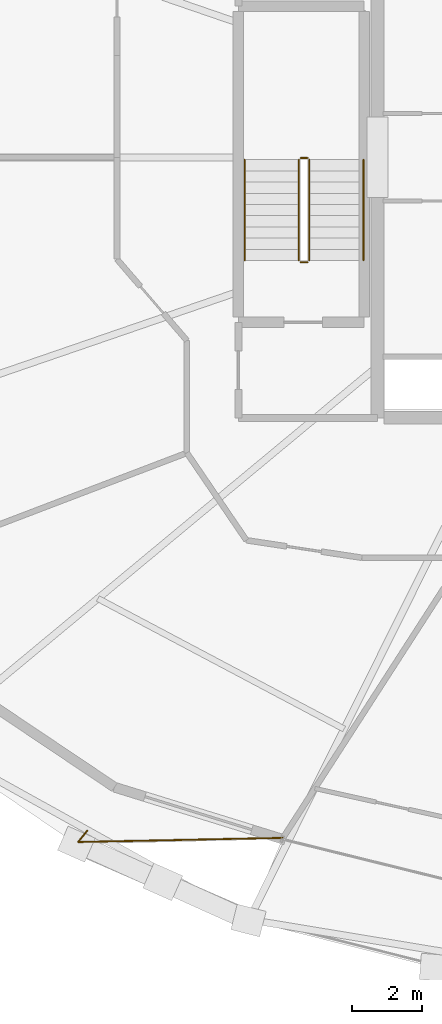
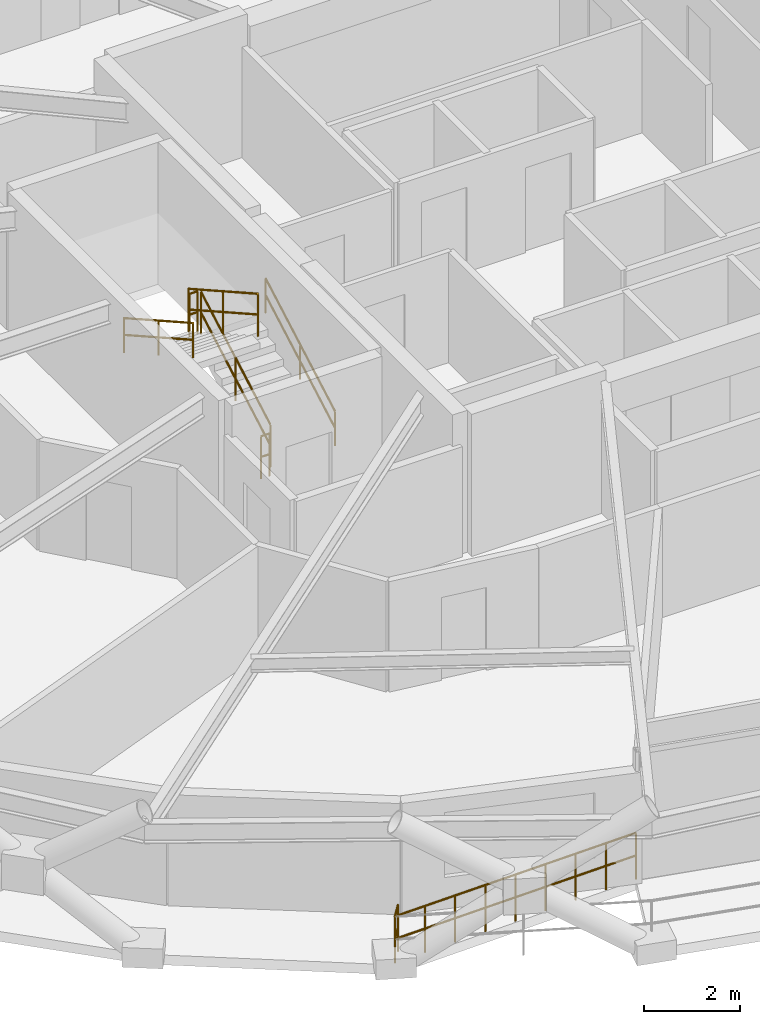
# One storey, part 19 of 21: 7 railings.
"""IFC4 building model written with IfcOpenShell, lengths in metres."""

from ifc_helpers import new_model, si_unit, direction, frame, origin, origin_2d, place, context, subcontext, project, spatial, circle, extrude, material, type_object, element, save


model = new_model("IFC4")

# Units and contexts
model_context = context("Model", 3, precision=1e-05, world=origin(), true_north=direction((0.0, 1.0)))
body_context = subcontext(model_context, "Body", "Model", "MODEL_VIEW")
ifc_project = project(units=[si_unit("LENGTHUNIT", "METRE"), si_unit("AREAUNIT", "SQUARE_METRE"), si_unit("VOLUMEUNIT", "CUBIC_METRE"), si_unit("PLANEANGLEUNIT", "RADIAN"), si_unit("MASSUNIT", "GRAM", prefix="KILO")], contexts=[model_context])

# Site, building, storey
site_placement = place(None, origin())
site = spatial("IfcSite", under=ifc_project, at=site_placement, CompositionType="ELEMENT")
building_placement = place(site_placement, origin())
building = spatial("IfcBuilding", under=site, at=building_placement, Name="Veldorina Hangang Commons", CompositionType="ELEMENT")
storey_placement = place(building_placement, frame((0.0, 0.0, 138.800048828125)))
storey = spatial("IfcBuildingStorey", under=building, at=storey_placement, Name="L35", CompositionType="ELEMENT", Elevation=138.800048828125)

# Railings
ifc_material_1 = material(Name="Glass Laminated Safety Balustrade", Category="glass")
railing_type_1 = type_object("IfcRailingType", Name="RL-BAL-LOGGIA", PredefinedType="BALUSTRADE", material=ifc_material_1)
railing_1_placement = place(storey_placement, frame((16.5029296875, 4.74951171875, 0.0)))
element("IfcRailing", 1, at=railing_1_placement, inside=storey, type_object=railing_type_1, Name="L35 sky-garden loggia end balustrade A", PredefinedType="BALUSTRADE", context=body_context, shape_type="SweptSolid", body=[
    extrude(circle(Radius=0.02392578125, at=origin_2d()), frame((0.0, 0.0, 1.17578125), z_axis=(-0.627172855925, -0.77888009911, 0.0), x_axis=(0.77888009911, -0.627172855925, 0.0)), (0.0, 0.0, 1.0), 0.419921875),
    extrude(circle(Radius=0.02392578125, at=origin_2d()), frame((0.0, 0.0, 0.60009765625), z_axis=(-0.627172855925, -0.77888009911, 0.0), x_axis=(0.77888009911, -0.627172855925, 0.0)), (0.0, 0.0, 1.0), 0.419921875),
    extrude(circle(Radius=0.02392578125, at=origin_2d()), frame((-0.263427734375, -0.3271484375, 1.17578125), z_axis=(0.999794535699, 0.020270332667, 0.0), x_axis=(-0.020270332667, 0.999794535699, 0.0)), (0.0, 0.0, 1.0), 5.853515625),
    extrude(circle(Radius=0.02392578125, at=origin_2d()), frame((-0.263427734375, -0.3271484375, 0.60009765625), z_axis=(0.999794535699, 0.020270332667, 0.0), x_axis=(-0.020270332667, 0.999794535699, 0.0)), (0.0, 0.0, 1.0), 5.853515625),
    extrude(circle(Radius=0.02099609375, at=origin_2d()), origin(), (0.0, 0.0, 1.0), 1.15185546875),
    extrude(circle(Radius=0.02099609375, at=origin_2d()), frame((-0.263427734375, -0.3271484375, 0.0)), (0.0, 0.0, 1.0), 1.15185546875),
    extrude(circle(Radius=0.02099609375, at=origin_2d()), frame((0.468017578125, -0.312255859375, 0.0)), (0.0, 0.0, 1.0), 1.15185546875),
    extrude(circle(Radius=0.02099609375, at=origin_2d()), frame((1.19970703125, -0.29736328125, 0.0)), (0.0, 0.0, 1.0), 1.15185546875),
    extrude(circle(Radius=0.02099609375, at=origin_2d()), frame((1.93115234375, -0.28271484375, 0.0)), (0.0, 0.0, 1.0), 1.15185546875),
    extrude(circle(Radius=0.02099609375, at=origin_2d()), frame((2.66259765625, -0.267822265625, 0.0)), (0.0, 0.0, 1.0), 1.15185546875),
    extrude(circle(Radius=0.02099609375, at=origin_2d()), frame((3.394287109375, -0.2529296875, 0.0)), (0.0, 0.0, 1.0), 1.15185546875),
    extrude(circle(Radius=0.02099609375, at=origin_2d()), frame((4.125732421875, -0.23828125, 0.0)), (0.0, 0.0, 1.0), 1.15185546875),
    extrude(circle(Radius=0.02099609375, at=origin_2d()), frame((4.857421875, -0.223388671875, 0.0)), (0.0, 0.0, 1.0), 1.15185546875),
    extrude(circle(Radius=0.02099609375, at=origin_2d()), frame((5.5888671875, -0.20849609375, 0.0)), (0.0, 0.0, 1.0), 1.15185546875),
])
ifc_material_2 = material(Name="Steel Painted Balustrade", Category="steel")
railing_type_2 = type_object("IfcRailingType", Name="RL-GRD-STAIR", PredefinedType="GUARDRAIL", material=ifc_material_2)
railing_2_placement = place(storey_placement, frame((22.85009765625, 21.050048828125, 0.179931640625)))
element("IfcRailing", 2, at=railing_2_placement, inside=storey, type_object=railing_type_2, Name="L35 ST-1 stair guard 1", PredefinedType="GUARDRAIL", context=body_context, shape_type="SweptSolid", body=[
    extrude(circle(Radius=0.02392578125, at=origin_2d()), frame((0.0, 0.0, 1.076171875), z_axis=(0.0, 0.87155185771, 0.490303333991), x_axis=(-1.0, 0.0, 0.0)), (0.0, 0.0, 1.0), 3.30419921875),
    extrude(circle(Radius=0.02392578125, at=origin_2d()), frame((0.0, 0.0, 0.550048828125), z_axis=(0.0, 0.87155185771, 0.490303333991), x_axis=(-1.0, 0.0, 0.0)), (0.0, 0.0, 1.0), 3.30419921875),
    extrude(circle(Radius=0.02099609375, at=origin_2d()), origin(), (0.0, 0.0, 1.0), 1.052001953125),
    extrude(circle(Radius=0.02099609375, at=origin_2d()), frame((0.0, 1.43994140625, 0.81005859375)), (0.0, 0.0, 1.0), 1.052001953125),
    extrude(circle(Radius=0.02099609375, at=origin_2d()), frame((0.0, 2.8798828125, 1.6201171875)), (0.0, 0.0, 1.0), 1.052001953125),
])
railing_3_placement = place(storey_placement, frame((22.800048828125, 23.97998046875, 1.800048828125)))
element("IfcRailing", 3, at=railing_3_placement, inside=storey, type_object=railing_type_2, Name="L35 ST-1 stair guard 2", PredefinedType="GUARDRAIL", context=body_context, shape_type="SweptSolid", body=[
    extrude(circle(Radius=0.02392578125, at=origin_2d()), frame((0.0, 0.0, 1.076171875), z_axis=(-1.0, 0.0, 0.0), x_axis=(0.0, -1.0, 0.0)), (0.0, 0.0, 1.0), 0.199951171875),
    extrude(circle(Radius=0.02392578125, at=origin_2d()), frame((0.0, 0.0, 0.550048828125), z_axis=(-1.0, 0.0, 0.0), x_axis=(0.0, -1.0, 0.0)), (0.0, 0.0, 1.0), 0.199951171875),
    extrude(circle(Radius=0.02099609375, at=origin_2d()), origin(), (0.0, 0.0, 1.0), 1.052001953125),
    extrude(circle(Radius=0.02099609375, at=origin_2d()), frame((-0.199951171875, 0.0, 0.0)), (0.0, 0.0, 1.0), 1.052001953125),
])
railing_4_placement = place(storey_placement, frame((22.550048828125, 23.929931640625, 1.97998046875)))
element("IfcRailing", 4, at=railing_4_placement, inside=storey, type_object=railing_type_2, Name="L35 ST-1 stair guard 3", PredefinedType="GUARDRAIL", context=body_context, shape_type="SweptSolid", body=[
    extrude(circle(Radius=0.02392578125, at=origin_2d()), frame((0.0, 0.0, 1.076171875), z_axis=(0.0, -0.871583430097, 0.490247207417), x_axis=(1.0, 0.0, 0.0)), (0.0, 0.0, 1.0), 3.30419921875),
    extrude(circle(Radius=0.02392578125, at=origin_2d()), frame((0.0, 0.0, 0.550048828125), z_axis=(0.0, -0.871583430097, 0.490247207417), x_axis=(1.0, 0.0, 0.0)), (0.0, 0.0, 1.0), 3.30419921875),
    extrude(circle(Radius=0.02099609375, at=origin_2d()), origin(), (0.0, 0.0, 1.0), 1.052001953125),
    extrude(circle(Radius=0.02099609375, at=origin_2d()), frame((0.0, -1.43994140625, 0.81005859375)), (0.0, 0.0, 1.0), 1.052001953125),
    extrude(circle(Radius=0.02099609375, at=origin_2d()), frame((0.0, -2.8798828125, 1.619873046875)), (0.0, 0.0, 1.0), 1.052001953125),
])
railing_5_placement = place(storey_placement, frame((22.800048828125, 21.0, 0.0)))
element("IfcRailing", 5, at=railing_5_placement, inside=storey, type_object=railing_type_2, Name="L35 ST-1 stair guard 4", PredefinedType="GUARDRAIL", context=body_context, shape_type="SweptSolid", body=[
    extrude(circle(Radius=0.02392578125, at=origin_2d()), frame((0.0, 0.0, 1.076171875), z_axis=(-1.0, 0.0, 0.0), x_axis=(0.0, -1.0, 0.0)), (0.0, 0.0, 1.0), 0.199951171875),
    extrude(circle(Radius=0.02392578125, at=origin_2d()), frame((0.0, 0.0, 0.550048828125), z_axis=(-1.0, 0.0, 0.0), x_axis=(0.0, -1.0, 0.0)), (0.0, 0.0, 1.0), 0.199951171875),
    extrude(circle(Radius=0.02099609375, at=origin_2d()), origin(), (0.0, 0.0, 1.0), 1.052001953125),
    extrude(circle(Radius=0.02099609375, at=origin_2d()), frame((-0.199951171875, 0.0, 0.0)), (0.0, 0.0, 1.0), 1.052001953125),
])
ifc_material_3 = material(Name="Stainless Steel Brushed 316", Category="steel")
railing_type_3 = type_object("IfcRailingType", Name="RL-HND-STAIR", PredefinedType="HANDRAIL", material=ifc_material_3)
railing_6_placement = place(storey_placement, frame((24.39990234375, 21.050048828125, 0.179931640625)))
element("IfcRailing", 6, at=railing_6_placement, inside=storey, type_object=railing_type_3, Name="L35 ST-1 stair handrail 1", PredefinedType="HANDRAIL", context=body_context, shape_type="SweptSolid", body=[
    extrude(circle(Radius=0.02392578125, at=origin_2d()), frame((0.0, 0.0, 0.8759765625), z_axis=(0.0, 0.87155185771, 0.490303333991), x_axis=(-1.0, 0.0, 0.0)), (0.0, 0.0, 1.0), 3.30419921875),
    extrude(circle(Radius=0.02392578125, at=origin_2d()), frame((0.0, 0.0, 0.449951171875), z_axis=(0.0, 0.87155185771, 0.490303333991), x_axis=(-1.0, 0.0, 0.0)), (0.0, 0.0, 1.0), 3.30419921875),
    extrude(circle(Radius=0.02099609375, at=origin_2d()), origin(), (0.0, 0.0, 1.0), 0.851806640625),
    extrude(circle(Radius=0.02099609375, at=origin_2d()), frame((0.0, 1.43994140625, 0.81005859375)), (0.0, 0.0, 1.0), 0.851806640625),
    extrude(circle(Radius=0.02099609375, at=origin_2d()), frame((0.0, 2.8798828125, 1.6201171875)), (0.0, 0.0, 1.0), 0.851806640625),
])
railing_7_placement = place(storey_placement, frame((21.0, 23.929931640625, 1.97998046875)))
element("IfcRailing", 7, at=railing_7_placement, inside=storey, type_object=railing_type_3, Name="L35 ST-1 stair handrail 2", PredefinedType="HANDRAIL", context=body_context, shape_type="SweptSolid", body=[
    extrude(circle(Radius=0.02392578125, at=origin_2d()), frame((0.0, 0.0, 0.8759765625), z_axis=(0.0, -0.871583430097, 0.490247207417), x_axis=(1.0, 0.0, 0.0)), (0.0, 0.0, 1.0), 3.30419921875),
    extrude(circle(Radius=0.02392578125, at=origin_2d()), frame((0.0, 0.0, 0.449951171875), z_axis=(0.0, -0.871583430097, 0.490247207417), x_axis=(1.0, 0.0, 0.0)), (0.0, 0.0, 1.0), 3.30419921875),
    extrude(circle(Radius=0.02099609375, at=origin_2d()), origin(), (0.0, 0.0, 1.0), 0.851806640625),
    extrude(circle(Radius=0.02099609375, at=origin_2d()), frame((0.0, -1.43994140625, 0.81005859375)), (0.0, 0.0, 1.0), 0.851806640625),
    extrude(circle(Radius=0.02099609375, at=origin_2d()), frame((0.0, -2.8798828125, 1.619873046875)), (0.0, 0.0, 1.0), 0.851806640625),
])

save(model, "model.ifc")
